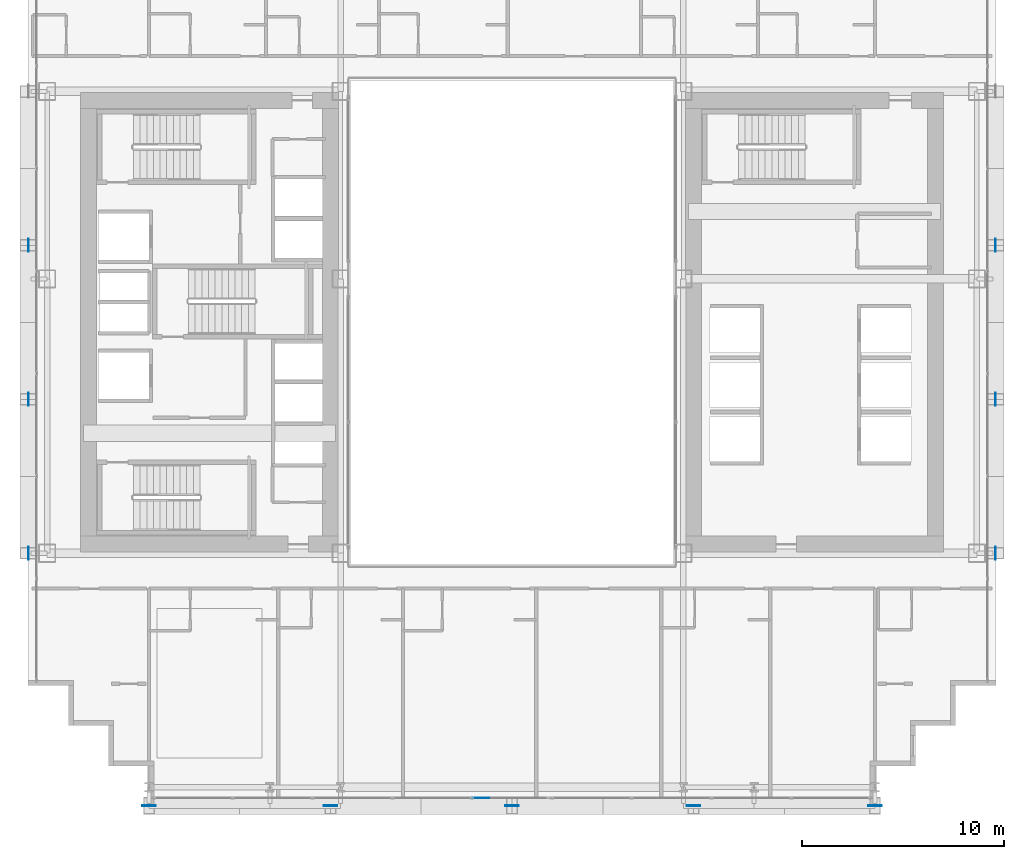
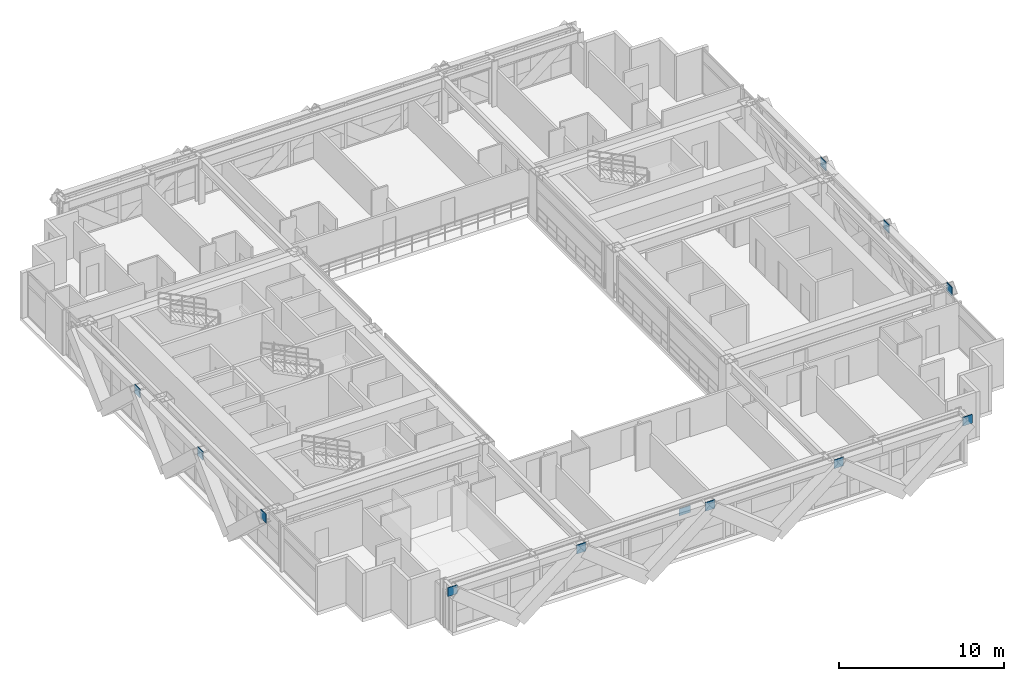
# One storey, part 31 of 41: 12 plates, 1 element without a shape of its own.
"""IFC4 building model written with IfcOpenShell, lengths in metres."""

from ifc_helpers import new_model, si_unit, direction, frame, origin, origin_2d, place, context, subcontext, project, spatial, rectangle, extrude, source, transform, mapped, material, layer, layer_set, type_object, element, aggregate, save


model = new_model("IFC4")

# Units and contexts
model_context = context("Model", 3, precision=1e-05, world=origin(), true_north=direction((0.0, 1.0)))
body_context = subcontext(model_context, "Body", "Model", "MODEL_VIEW")
ifc_project = project(units=[si_unit("LENGTHUNIT", "METRE"), si_unit("AREAUNIT", "SQUARE_METRE"), si_unit("VOLUMEUNIT", "CUBIC_METRE"), si_unit("PLANEANGLEUNIT", "RADIAN"), si_unit("MASSUNIT", "GRAM", prefix="KILO")], contexts=[model_context])

# Site, building, storey
site_placement = place(None, origin())
site = spatial("IfcSite", under=ifc_project, at=site_placement, CompositionType="ELEMENT")
building_placement = place(site_placement, origin())
building = spatial("IfcBuilding", under=site, at=building_placement, Name="Ocotamira Hotel", CompositionType="ELEMENT")
storey_placement = place(building_placement, frame((0.0, 0.0, 52.800048828125)))
storey = spatial("IfcBuildingStorey", under=building, at=storey_placement, Name="L12", CompositionType="ELEMENT", Elevation=52.800048828125)

# Plates
ifc_material_1 = material(Name="Pale-metal coated steel ASTM A572 Grade 50", Category="steel")
ifc_layer_1 = layer(ifc_material_1, 0.0400390625)
ifc_layer_set_1 = layer_set([ifc_layer_1], Name="Pale-metal coated steel ASTM A572 Grade 50")
plate_type_1 = type_object("IfcPlateType", Name="PLT-GUSSET-40", PredefinedType="SHEET", material=ifc_layer_set_1)
shared_shape_1 = source(origin(), body_context, "Body", "SweptSolid", [
    extrude(rectangle(XDim=0.64990234375, YDim=0.0400390625, at=origin_2d()), origin(), (0.0, 0.0, 1.0), 0.64990234375),
])
for number, where, z_axis, x_axis, name in (
    (1, (14.0, 2.030029296875, 2.77490234375), (0.0, 0.0, 1.0), (-1.0, 0.0, 0.0), "L12 Exoskeleton Diagrid S0.1 End Gusset B"),
    (2, (23.0, 2.030029296875, 2.77490234375), (0.0, 0.0, 1.0), (1.0, 0.0, 0.0), "L12 Exoskeleton Diagrid S0.2 End Gusset B"),
    (3, (32.0, 2.030029296875, 2.77490234375), (0.0, 0.0, 1.0), (1.0, 0.0, 0.0), "L12 Exoskeleton Diagrid S1.2 End Gusset B"),
    (4, (41.0, 2.030029296875, 2.77490234375), (0.0, 0.0, 1.0), (1.0, 0.0, 0.0), "L12 Exoskeleton Diagrid S2.2 End Gusset B"),
    (5, (50.0, 2.030029296875, 2.77490234375), (0.0, 0.0, 1.0), (1.0, 0.0, 0.0), "L12 Exoskeleton Diagrid S3.2 End Gusset B"),
):
    element("IfcPlate", number, at=place(storey_placement, frame(where, z_axis=z_axis, x_axis=x_axis)), inside=storey, type_object=plate_type_1, Name=name, PredefinedType="SHEET", context=body_context, shape_type="MappedRepresentation", body=[
        mapped(shared_shape_1, transform((0.0, 0.0, 0.0), scale=1.0)),
    ])
shared_shape_2 = source(origin(), body_context, "Body", "SweptSolid", [
    extrude(rectangle(XDim=0.0400390625, YDim=0.64990234375, at=origin_2d()), origin(), (0.0, 0.0, 1.0), 0.64990234375),
])
for number, where, z_axis, x_axis, name in (
    (6, (8.030029296875, 14.550048828125, 2.77490234375), (0.0, 0.0, 1.0), (1.0, 0.0, 0.0), "L12 Exoskeleton Diagrid W0.1 End Gusset B"),
    (7, (8.030029296875, 22.183349609375, 2.77490234375), (0.0, 0.0, 1.0), (1.0, 0.0, 0.0), "L12 Exoskeleton Diagrid W0.2 End Gusset B"),
    (8, (8.030029296875, 29.816650390625, 2.77490234375), (0.0, 0.0, 1.0), (1.0, 0.0, 0.0), "L12 Exoskeleton Diagrid W1.2 End Gusset B"),
    (9, (55.969970703125, 14.550048828125, 2.77490234375), (0.0, 0.0, 1.0), (1.0, 0.0, 0.0), "L12 Exoskeleton Diagrid E0.1 End Gusset B"),
    (10, (55.969970703125, 22.183349609375, 2.77490234375), (0.0, 0.0, 1.0), (1.0, 0.0, 0.0), "L12 Exoskeleton Diagrid E0.2 End Gusset B"),
    (11, (55.969970703125, 29.816650390625, 2.77490234375), (0.0, 0.0, 1.0), (1.0, 0.0, 0.0), "L12 Exoskeleton Diagrid E1.2 End Gusset B"),
):
    element("IfcPlate", number, at=place(storey_placement, frame(where, z_axis=z_axis, x_axis=x_axis)), inside=storey, type_object=plate_type_1, Name=name, PredefinedType="SHEET", context=body_context, shape_type="MappedRepresentation", body=[
        mapped(shared_shape_2, transform((0.0, 0.0, 0.0), scale=1.0)),
    ])

# Curtain wall, plate
ifc_material_2 = material(Name="Anodised pale-metal aluminium and solar glass", Category="aluminium")
ifc_layer_2 = layer(ifc_material_2, 0.179931640625)
ifc_layer_set_2 = layer_set([ifc_layer_2], Name="Anodised pale-metal aluminium and solar glass")
curtain_wall_type = type_object("IfcCurtainWallType", Name="CW-SYS2-Z1", PredefinedType="NOTDEFINED", material=ifc_layer_set_2)
curtain_wall_placement = place(storey_placement, origin())
curtain_wall = element("IfcCurtainWall", 12, at=curtain_wall_placement, inside=storey, type_object=curtain_wall_type, Name="L12 Curtain Wall CW-2 CW-L12-S1", PredefinedType="NOTDEFINED")
ifc_material_3 = material(Name="Double-silver low-E insulated solar glass", Category="glass")
ifc_layer_3 = layer(ifc_material_3, 0.031982421875)
ifc_layer_set_3 = layer_set([ifc_layer_3], Name="Double-silver low-E insulated solar glass")
plate_type_2 = type_object("IfcPlateType", Name="CWP-VISION-32", PredefinedType="CURTAIN_PANEL", material=ifc_layer_set_3)
shared_shape_3 = source(origin(), body_context, "Body", "SweptSolid", [
    extrude(rectangle(XDim=0.797607421875, YDim=0.031982421875, at=origin_2d()), origin(), (0.0, 0.0, 1.0), 0.5107421875),
])
plate_placement = place(storey_placement, frame((30.461181640625, 2.419921875, 2.76416015625), z_axis=(0.0, 0.0, 1.0), x_axis=(1.0, 0.0, 0.0)))
plate = element("IfcPlate", 13, at=plate_placement, type_object=plate_type_2, Name="CW-2 panel 5.2.1", PredefinedType="CURTAIN_PANEL", context=body_context, shape_type="MappedRepresentation", body=[
    mapped(shared_shape_3, transform((0.0, 0.0, 0.0), scale=1.0)),
])
aggregate(curtain_wall, [plate])

save(model, "model.ifc")
